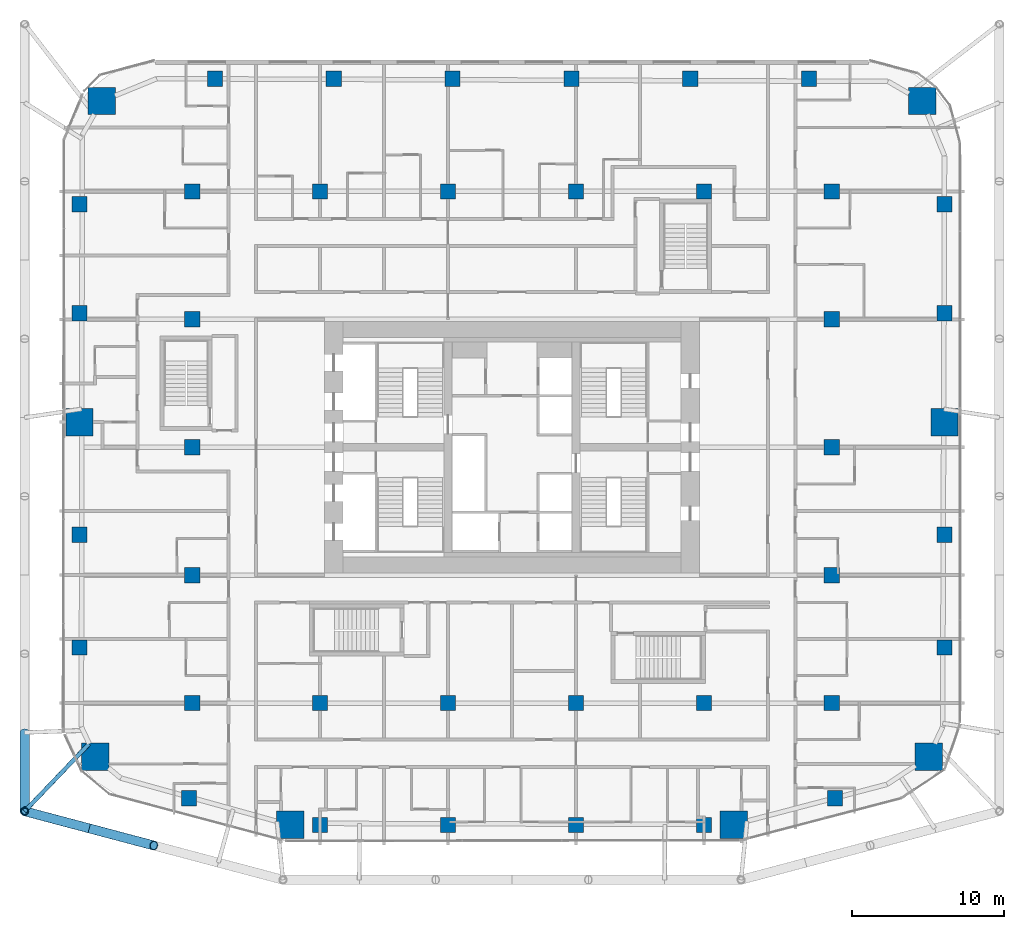
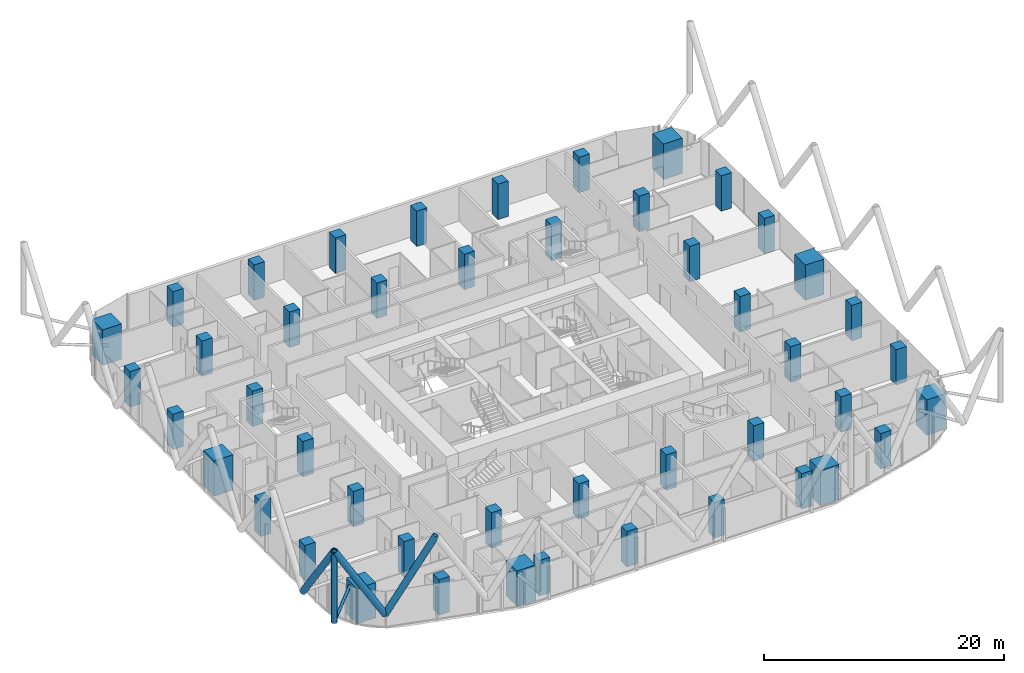
# One storey, part 1 of 38: 46 columns, 5 members.
"""IFC4 building model written with IfcOpenShell, lengths in metres."""

from ifc_helpers import new_model, si_unit, direction, frame, origin, origin_2d, place, context, subcontext, project, spatial, rectangle, hollow_circle, extrude, material, material_profile, profile_set, type_object, element, save


model = new_model("IFC4")

# Units and contexts
model_context = context("Model", 3, precision=1e-05, world=origin(), true_north=direction((0.0, 1.0)))
body_context = subcontext(model_context, "Body", "Model", "MODEL_VIEW")
ifc_project = project(units=[si_unit("LENGTHUNIT", "METRE"), si_unit("AREAUNIT", "SQUARE_METRE"), si_unit("VOLUMEUNIT", "CUBIC_METRE"), si_unit("PLANEANGLEUNIT", "RADIAN"), si_unit("MASSUNIT", "GRAM", prefix="KILO")], contexts=[model_context])

# Site, building, storey
site_placement = place(None, origin())
site = spatial("IfcSite", under=ifc_project, at=site_placement, CompositionType="ELEMENT")
building_placement = place(site_placement, origin())
building = spatial("IfcBuilding", under=site, at=building_placement, Name="Marenta Gate Hotel Tower", CompositionType="ELEMENT")
storey_placement = place(building_placement, frame((0.0, 0.0, 54.5)))
storey = spatial("IfcBuildingStorey", under=building, at=storey_placement, Name="L11", CompositionType="ELEMENT", Elevation=54.5)

# Columns
ifc_material_1 = material(Name="Concrete C80", Category="concrete")
ifc_material_profile_1 = material_profile(ifc_material_1, rectangle(XDim=1.0, YDim=1.0, at=origin_2d()), Name="1000 x 1000")
ifc_profile_set_1 = profile_set([ifc_material_profile_1], Name="Concrete C80")
column_type_1 = type_object("IfcColumnType", Name="Edge column 1000 x 1000 C80", PredefinedType="COLUMN", material=ifc_profile_set_1)
for number, where, z_axis, x_axis, name in (
    (1, (-28.39990234375, -4.751953125, 0.0), (0.0, 0.0, 1.0), (1.0, 0.0, 0.0), "L11-EC-SW-W-1"),
    (2, (-28.39990234375, 2.649169921875, 0.0), (0.0, 0.0, 1.0), (1.0, 0.0, 0.0), "L11-EC-SW-W-2"),
    (3, (-28.39990234375, 17.203125, 0.0), (0.0, 0.0, 1.0), (1.0, 0.0, 0.0), "L11-EC-W-NW-1"),
    (4, (-28.39990234375, 24.3564453125, 0.0), (0.0, 0.0, 1.0), (1.0, 0.0, 0.0), "L11-EC-W-NW-2"),
    (5, (-19.5068359375, 32.60009765625, 0.0), (0.0, 0.0, 1.0), (1.0, 0.0, 0.0), "L11-EC-NW-NE-1"),
    (6, (-11.7041015625, 32.60009765625, 0.0), (0.0, 0.0, 1.0), (1.0, 0.0, 0.0), "L11-EC-NW-NE-2"),
    (7, (-3.9013671875, 32.60009765625, 0.0), (0.0, 0.0, 1.0), (1.0, 0.0, 0.0), "L11-EC-NW-NE-3"),
    (8, (3.9013671875, 32.60009765625, 0.0), (0.0, 0.0, 1.0), (1.0, 0.0, 0.0), "L11-EC-NW-NE-4"),
    (9, (11.7041015625, 32.60009765625, 0.0), (0.0, 0.0, 1.0), (1.0, 0.0, 0.0), "L11-EC-NW-NE-5"),
    (10, (19.5068359375, 32.60009765625, 0.0), (0.0, 0.0, 1.0), (1.0, 0.0, 0.0), "L11-EC-NW-NE-6"),
    (11, (28.39990234375, 24.3564453125, 0.0), (0.0, 0.0, 1.0), (1.0, 0.0, 0.0), "L11-EC-NE-E-1"),
    (12, (28.39990234375, 17.203125, 0.0), (0.0, 0.0, 1.0), (1.0, 0.0, 0.0), "L11-EC-NE-E-2"),
    (13, (28.39990234375, 2.649169921875, 0.0), (0.0, 0.0, 1.0), (1.0, 0.0, 0.0), "L11-EC-E-SE-1"),
    (14, (28.39990234375, -4.751953125, 0.0), (0.0, 0.0, 1.0), (1.0, 0.0, 0.0), "L11-EC-E-SE-2"),
    (15, (21.206787109375, -14.63916015625, 0.0), (0.0, 0.0, 1.0), (1.0, 0.0, 0.0), "L11-EC-SE-SKE-1"),
    (16, (12.60009765625, -16.39990234375, 0.0), (0.0, 0.0, 1.0), (1.0, 0.0, 0.0), "L11-EC-SKE-SKW-1"),
    (17, (4.199951171875, -16.39990234375, 0.0), (0.0, 0.0, 1.0), (1.0, 0.0, 0.0), "L11-EC-SKE-SKW-2"),
    (18, (-4.199951171875, -16.39990234375, 0.0), (0.0, 0.0, 1.0), (1.0, 0.0, 0.0), "L11-EC-SKE-SKW-3"),
    (19, (-12.60009765625, -16.39990234375, 0.0), (0.0, 0.0, 1.0), (1.0, 0.0, 0.0), "L11-EC-SKE-SKW-4"),
    (20, (-21.206787109375, -14.63916015625, 0.0), (0.0, 0.0, 1.0), (1.0, 0.0, 0.0), "L11-EC-SKW-SW-1"),
):
    element("IfcColumn", number, at=place(storey_placement, frame(where, z_axis=z_axis, x_axis=x_axis)), inside=storey, type_object=column_type_1, Name=name, PredefinedType="COLUMN", context=body_context, shape_type="SweptSolid", body=[
        extrude(rectangle(XDim=1.0, YDim=1.0, at=origin_2d()), origin(), (0.0, 0.0, 1.0), 3.60009765625),
    ])
ifc_material_2 = material(Name="Concrete C80", Category="concrete")
ifc_material_profile_2 = material_profile(ifc_material_2, rectangle(XDim=1.0, YDim=1.0, at=origin_2d()), Name="1000 x 1000")
ifc_profile_set_2 = profile_set([ifc_material_profile_2], Name="Concrete C80")
column_type_2 = type_object("IfcColumnType", Name="Interior column 1000 x 1000 C80", PredefinedType="COLUMN", material=ifc_profile_set_2)
for number, where, z_axis, x_axis, name in (
    (21, (-21.0, -8.39990234375, 0.0), (0.0, 0.0, 1.0), (1.0, 0.0, 0.0), "L11-IC-4E"),
    (22, (-21.0, 0.0, 0.0), (0.0, 0.0, 1.0), (1.0, 0.0, 0.0), "L11-IC-4F"),
    (23, (-21.0, 8.39990234375, 0.0), (0.0, 0.0, 1.0), (1.0, 0.0, 0.0), "L11-IC-4G"),
    (24, (-21.0, 16.800048828125, 0.0), (0.0, 0.0, 1.0), (1.0, 0.0, 0.0), "L11-IC-4H"),
    (25, (-21.0, 25.199951171875, 0.0), (0.0, 0.0, 1.0), (1.0, 0.0, 0.0), "L11-IC-4I"),
    (26, (-12.60009765625, -8.39990234375, 0.0), (0.0, 0.0, 1.0), (1.0, 0.0, 0.0), "L11-IC-5E"),
    (27, (-12.60009765625, 25.199951171875, 0.0), (0.0, 0.0, 1.0), (1.0, 0.0, 0.0), "L11-IC-5I"),
    (28, (-4.199951171875, -8.39990234375, 0.0), (0.0, 0.0, 1.0), (1.0, 0.0, 0.0), "L11-IC-6E"),
    (29, (-4.199951171875, 25.199951171875, 0.0), (0.0, 0.0, 1.0), (1.0, 0.0, 0.0), "L11-IC-6I"),
    (30, (4.199951171875, -8.39990234375, 0.0), (0.0, 0.0, 1.0), (1.0, 0.0, 0.0), "L11-IC-7E"),
    (31, (4.199951171875, 25.199951171875, 0.0), (0.0, 0.0, 1.0), (1.0, 0.0, 0.0), "L11-IC-7I"),
    (32, (12.60009765625, -8.39990234375, 0.0), (0.0, 0.0, 1.0), (1.0, 0.0, 0.0), "L11-IC-8E"),
    (33, (12.60009765625, 25.199951171875, 0.0), (0.0, 0.0, 1.0), (1.0, 0.0, 0.0), "L11-IC-8I"),
    (34, (21.0, -8.39990234375, 0.0), (0.0, 0.0, 1.0), (1.0, 0.0, 0.0), "L11-IC-9E"),
    (35, (21.0, 0.0, 0.0), (0.0, 0.0, 1.0), (1.0, 0.0, 0.0), "L11-IC-9F"),
    (36, (21.0, 8.39990234375, 0.0), (0.0, 0.0, 1.0), (1.0, 0.0, 0.0), "L11-IC-9G"),
    (37, (21.0, 16.800048828125, 0.0), (0.0, 0.0, 1.0), (1.0, 0.0, 0.0), "L11-IC-9H"),
    (38, (21.0, 25.199951171875, 0.0), (0.0, 0.0, 1.0), (1.0, 0.0, 0.0), "L11-IC-9I"),
):
    element("IfcColumn", number, at=place(storey_placement, frame(where, z_axis=z_axis, x_axis=x_axis)), inside=storey, type_object=column_type_2, Name=name, PredefinedType="COLUMN", context=body_context, shape_type="SweptSolid", body=[
        extrude(rectangle(XDim=1.0, YDim=1.0, at=origin_2d()), origin(), (0.0, 0.0, 1.0), 3.60009765625),
    ])
ifc_material_3 = material(Name="Concrete C80", Category="concrete")
ifc_material_profile_3 = material_profile(ifc_material_3, rectangle(XDim=1.800048828125, YDim=1.800048828125, at=origin_2d()), Name="1800 x 1800")
ifc_profile_set_3 = profile_set([ifc_material_profile_3], Name="Concrete C80")
column_type_3 = type_object("IfcColumnType", Name="Mega column 1800 x 1800 C80", PredefinedType="COLUMN", material=ifc_profile_set_3)
for number, where, z_axis, x_axis, name in (
    (39, (-27.363037109375, -11.93310546875, 0.0), (0.0, 0.0, 1.0), (1.0, 0.0, 0.0), "L11-MC-SW"),
    (40, (-14.56640625, -16.374755859375, 0.0), (0.0, 0.0, 1.0), (1.0, 0.0, 0.0), "L11-MC-SKW"),
    (41, (14.56640625, -16.374755859375, 0.0), (0.0, 0.0, 1.0), (1.0, 0.0, 0.0), "L11-MC-SKE"),
    (42, (27.363037109375, -11.93310546875, 0.0), (0.0, 0.0, 1.0), (1.0, 0.0, 0.0), "L11-MC-SE"),
    (43, (28.39990234375, 10.050048828125, 0.0), (0.0, 0.0, 1.0), (1.0, 0.0, 0.0), "L11-MC-E"),
    (44, (26.935546875, 31.135498046875, 0.0), (0.0, 0.0, 1.0), (1.0, 0.0, 0.0), "L11-MC-NE"),
    (45, (-26.935546875, 31.135498046875, 0.0), (0.0, 0.0, 1.0), (1.0, 0.0, 0.0), "L11-MC-NW"),
    (46, (-28.39990234375, 10.050048828125, 0.0), (0.0, 0.0, 1.0), (1.0, 0.0, 0.0), "L11-MC-W"),
):
    element("IfcColumn", number, at=place(storey_placement, frame(where, z_axis=z_axis, x_axis=x_axis)), inside=storey, type_object=column_type_3, Name=name, PredefinedType="COLUMN", context=body_context, shape_type="SweptSolid", body=[
        extrude(rectangle(XDim=1.800048828125, YDim=1.800048828125, at=origin_2d()), origin(), (0.0, 0.0, 1.0), 3.60009765625),
    ])

# Members
ifc_material_4 = material(Name="Steel S355J2W", Category="steel")
ifc_material_profile_4 = material_profile(ifc_material_4, hollow_circle(Radius=0.25390625, WallThickness=0.0400390625, at=origin_2d()), Name="CHS 508x40")
ifc_profile_set_4 = profile_set([ifc_material_profile_4], Name="Steel S355J2W")
member_type_1 = type_object("IfcMemberType", Name="Diagrid corner post Z1 CHS 508x40", PredefinedType="POST", material=ifc_profile_set_4)
member_1_placement = place(storey_placement, frame((-32.0, -15.500244140625, 3.139892578125), z_axis=(0.0, 0.0, 1.0), x_axis=(1.0, 0.0, 0.0)))
element("IfcMember", 47, at=member_1_placement, inside=storey, type_object=member_type_1, Name="L11-DR-5", PredefinedType="POST", context=body_context, shape_type="SweptSolid", body=[
    extrude(hollow_circle(Radius=0.25390625, WallThickness=0.0400390625, at=origin_2d()), origin(), (0.0, 0.0, 1.0), 7.2001953125),
])
ifc_material_5 = material(Name="Steel S355J2W", Category="steel")
ifc_material_profile_5 = material_profile(ifc_material_5, hollow_circle(Radius=0.304931640625, WallThickness=0.0400390625, at=origin_2d()), Name="CHS 610x40")
ifc_profile_set_5 = profile_set([ifc_material_profile_5], Name="Steel S355J2W")
member_type_2 = type_object("IfcMemberType", Name="Diagrid diagonal Z1 CHS 610x40", PredefinedType="BRACE", material=ifc_profile_set_5)
for number, where, z_axis, x_axis, name in (
    (48, (-27.759765625, -16.625, 3.139892578125), (0.50291158245, -0.13343024942, 0.853976761263), (0.256443187528, 0.96655930577, 0.0), "L11-DG-23"),
    (49, (-27.759765625, -16.625, 3.139892578125), (-0.502913525317, 0.133401808564, 0.853980060379), (-0.256391194513, -0.966573098827, 0.0), "L11-DG-24"),
):
    element("IfcMember", number, at=place(storey_placement, frame(where, z_axis=z_axis, x_axis=x_axis)), inside=storey, type_object=member_type_2, Name=name, PredefinedType="BRACE", context=body_context, shape_type="SweptSolid", body=[
        extrude(hollow_circle(Radius=0.304931640625, WallThickness=0.0400390625, at=origin_2d()), origin(), (0.0, 0.0, 1.0), 8.431396484375),
    ])
member_2_placement = place(storey_placement, frame((-32.0, -10.330078125, 3.139892578125), z_axis=(0.0, -0.583265964901, 0.81228124082), x_axis=(1.0, 0.0, 0.0)))
element("IfcMember", 50, at=member_2_placement, inside=storey, type_object=member_type_2, Name="L11-DG-25", PredefinedType="BRACE", context=body_context, shape_type="SweptSolid", body=[
    extrude(hollow_circle(Radius=0.304931640625, WallThickness=0.0400390625, at=origin_2d()), origin(), (0.0, 0.0, 1.0), 8.8642578125),
])
ifc_material_6 = material(Name="Steel S355J2W", Category="steel")
ifc_material_profile_6 = material_profile(ifc_material_6, hollow_circle(Radius=0.136474609375, WallThickness=0.012451171875, at=origin_2d()), Name="CHS 273x12.5")
ifc_profile_set_6 = profile_set([ifc_material_profile_6], Name="Steel S355J2W")
member_type_3 = type_object("IfcMemberType", Name="Floor tie CHS 273x12.5", PredefinedType="STRUT", material=ifc_profile_set_6)
member_3_placement = place(storey_placement, frame((-32.0, -15.500244140625, 3.139892578125), z_axis=(0.691351135911, 0.722518931845, 0.0), x_axis=(-0.722518931845, 0.691351135911, 0.0)))
element("IfcMember", 51, at=member_3_placement, inside=storey, type_object=member_type_3, Name="L11-DR-18", PredefinedType="STRUT", context=body_context, shape_type="SweptSolid", body=[
    extrude(hollow_circle(Radius=0.136474609375, WallThickness=0.012451171875, at=origin_2d()), origin(), (0.0, 0.0, 1.0), 6.12548828125),
])

save(model, "model.ifc")
